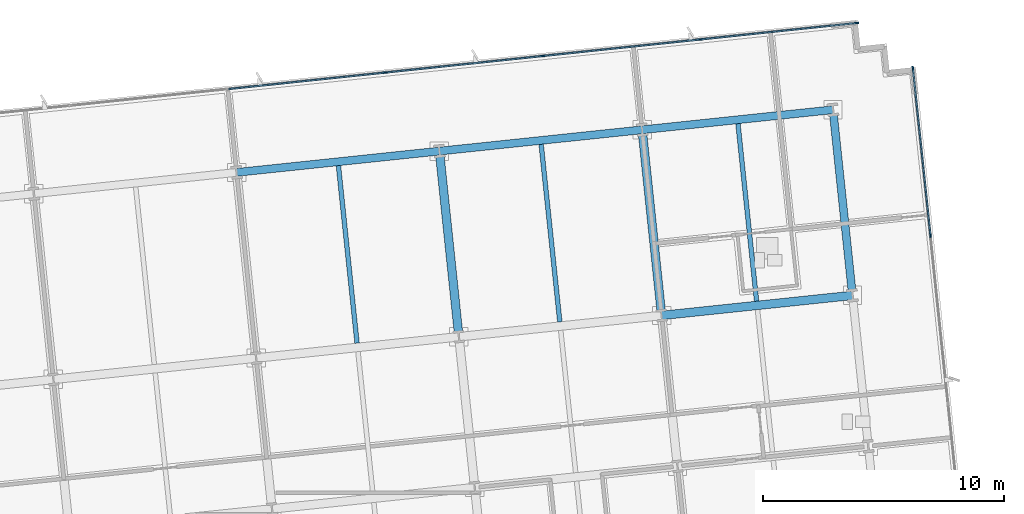
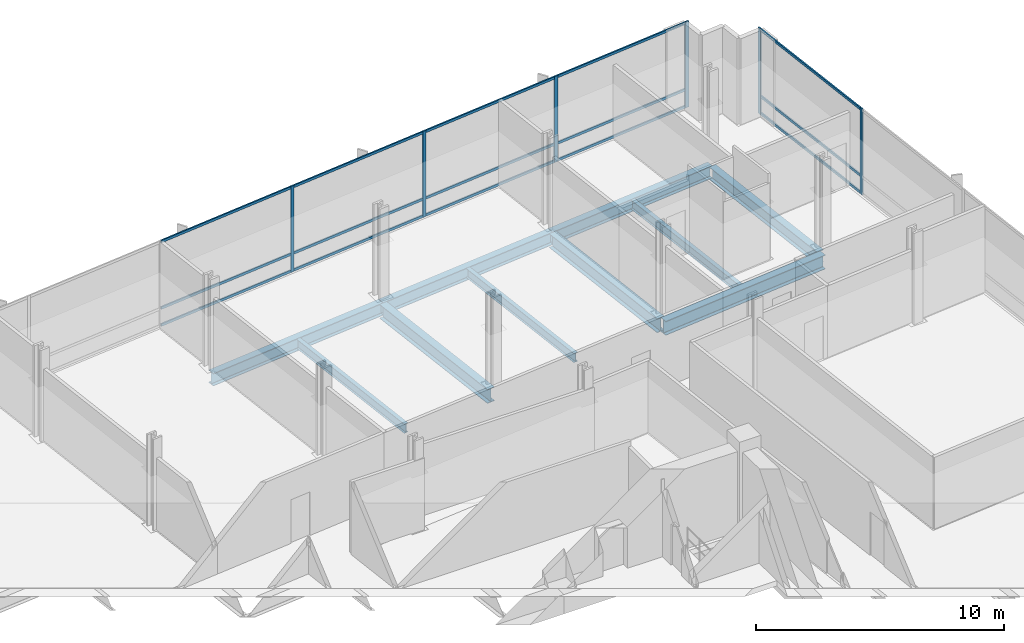
# One storey, part 10 of 20: 21 members, 10 beams, 2 elements without a shape of their own.
"""IFC4 building model written with IfcOpenShell, lengths in metres."""

from ifc_helpers import new_model, si_unit, direction, frame, origin, origin_2d, place, context, subcontext, project, spatial, rectangle, i_section, extrude, material, material_profile, profile_set, type_object, element, aggregate, save


model = new_model("IFC4")

# Units and contexts
model_context = context("Model", 3, precision=1e-05, world=origin(), true_north=direction((0.0, 1.0)))
body_context = subcontext(model_context, "Body", "Model", "MODEL_VIEW")
ifc_project = project(units=[si_unit("LENGTHUNIT", "METRE"), si_unit("AREAUNIT", "SQUARE_METRE"), si_unit("VOLUMEUNIT", "CUBIC_METRE"), si_unit("PLANEANGLEUNIT", "RADIAN"), si_unit("MASSUNIT", "GRAM", prefix="KILO")], contexts=[model_context])

# Site, building, storey
site_placement = place(None, origin())
site = spatial("IfcSite", under=ifc_project, at=site_placement, CompositionType="ELEMENT")
building_placement = place(site_placement, origin())
building = spatial("IfcBuilding", under=site, at=building_placement, Name="Solmavex Isthmus Hotel", CompositionType="ELEMENT")
storey_placement = place(building_placement, frame((0.0, 0.0, 97.35009765625)))
storey = spatial("IfcBuildingStorey", under=building, at=storey_placement, Name="L26", CompositionType="ELEMENT", Elevation=97.35009765625)

# Beams
ifc_material_1 = material(Name="Steel ASTM A992 Grade 50", Category="steel")
ifc_material_profile_1 = material_profile(ifc_material_1, i_section(OverallWidth=0.354736328125, OverallDepth=0.695556640625, WebThickness=0.015380859375, FlangeThickness=0.02490234375, FilletRadius=0.017822265625, at=origin_2d()), Name="W27X146")
ifc_profile_set_1 = profile_set([ifc_material_profile_1], Name="Steel ASTM A992 Grade 50")
beam_type_1 = type_object("IfcBeamType", Name="BM-BG-W27X146", PredefinedType="BEAM", material=ifc_profile_set_1)
beam_1_placement = place(storey_placement, frame((20.5615234375, 11.921875, -0.60791015625), z_axis=(0.994523402738, 0.104514120609, 0.0), x_axis=(-0.104514120609, 0.994523402738, 0.0)))
element("IfcBeam", 1, at=beam_1_placement, inside=storey, type_object=beam_type_1, Name="Floor Girder L26-UG18", PredefinedType="BEAM", context=body_context, shape_type="SweptSolid", body=[
    extrude(i_section(OverallWidth=0.354736328125, OverallDepth=0.695556640625, WebThickness=0.015380859375, FlangeThickness=0.02490234375, FilletRadius=0.017822265625, at=origin_2d()), origin(), (0.0, 0.0, 1.0), 7.968017578125),
])
for number, where, z_axis, x_axis, name in (
    (2, (12.123291015625, 11.21337890625, -0.60791015625), (-0.104525307271, 0.994522227072, 0.0), (-0.994522227072, -0.104525307271, 0.0), "Floor Beam L26-VG42"),
    (3, (20.54296875, 12.098388671875, -0.60791015625), (-0.1045578893, 0.994518802128, 0.0), (-0.994518802128, -0.1045578893, 0.0), "Floor Beam L26-VG45"),
):
    element("IfcBeam", number, at=place(storey_placement, frame(where, z_axis=z_axis, x_axis=x_axis)), inside=storey, type_object=beam_type_1, Name=name, PredefinedType="BEAM", context=body_context, shape_type="SweptSolid", body=[
        extrude(i_section(OverallWidth=0.354736328125, OverallDepth=0.695556640625, WebThickness=0.015380859375, FlangeThickness=0.02490234375, FilletRadius=0.017822265625, at=origin_2d()), origin(), (0.0, 0.0, 1.0), 7.4111328125),
    ])
ifc_material_profile_2 = material_profile(ifc_material_1, i_section(OverallWidth=0.1904296875, OverallDepth=0.456787109375, WebThickness=0.009033203125, FlangeThickness=0.014404296875, FilletRadius=0.0126953125, at=origin_2d()), Name="W18X50")
ifc_profile_set_2 = profile_set([ifc_material_profile_2], Name="Steel ASTM A992 Grade 50")
beam_type_2 = type_object("IfcBeamType", Name="BM-BJ-W18X50", PredefinedType="JOIST", material=ifc_profile_set_2)
beam_2_placement = place(storey_placement, frame((7.913330078125, 10.77099609375, -0.488525390625), z_axis=(-0.104525307271, 0.994522227072, 0.0), x_axis=(-0.994522227072, -0.104525307271, 0.0)))
element("IfcBeam", 4, at=beam_2_placement, inside=storey, type_object=beam_type_2, Name="Secondary Floor Joist L26-J15", PredefinedType="JOIST", context=body_context, shape_type="SweptSolid", body=[
    extrude(i_section(OverallWidth=0.1904296875, OverallDepth=0.456787109375, WebThickness=0.009033203125, FlangeThickness=0.014404296875, FilletRadius=0.0126953125, at=origin_2d()), origin(), (0.0, 0.0, 1.0), 7.4111328125),
])
for number, where, z_axis, x_axis, name in (
    (5, (16.3330078125, 11.65576171875, -0.488525390625), (-0.10452188296, 0.994522586964, 0.0), (-0.994522586964, -0.10452188296, 0.0), "Secondary Floor Joist L26-J18"),
    (6, (24.505126953125, 12.5146484375, -0.488525390625), (-0.10452188296, 0.994522586964, 0.0), (-0.994522586964, -0.10452188296, 0.0), "Secondary Floor Joist L26-J21"),
):
    element("IfcBeam", number, at=place(storey_placement, frame(where, z_axis=z_axis, x_axis=x_axis)), inside=storey, type_object=beam_type_2, Name=name, PredefinedType="JOIST", context=body_context, shape_type="SweptSolid", body=[
        extrude(i_section(OverallWidth=0.1904296875, OverallDepth=0.456787109375, WebThickness=0.009033203125, FlangeThickness=0.014404296875, FilletRadius=0.0126953125, at=origin_2d()), origin(), (0.0, 0.0, 1.0), 7.411376953125),
    ])
ifc_material_profile_3 = material_profile(ifc_material_1, i_section(OverallWidth=0.326416015625, OverallDepth=0.621826171875, WebThickness=0.015380859375, FlangeThickness=0.0244140625, FilletRadius=0.01513671875, at=origin_2d()), Name="W24X131")
ifc_profile_set_3 = profile_set([ifc_material_profile_3], Name="Steel ASTM A992 Grade 50")
beam_type_3 = type_object("IfcBeamType", Name="BM-SP-W24X131", PredefinedType="SPANDREL", material=ifc_profile_set_3)
for number, where, z_axis, x_axis, name in (
    (7, (2.911865234375, 17.861572265625, -0.571044921875), (0.994521085209, 0.104536171134, 0.0), (-0.104536171134, 0.994521085209, 0.0), "Floor Girder L26-UG22"),
    (8, (11.33154296875, 18.74658203125, -0.571044921875), (0.994524082861, 0.104507648572, 0.0), (-0.104507648572, 0.994524082861, 0.0), "Floor Girder L26-UG23"),
):
    element("IfcBeam", number, at=place(storey_placement, frame(where, z_axis=z_axis, x_axis=x_axis)), inside=storey, type_object=beam_type_3, Name=name, PredefinedType="SPANDREL", context=body_context, shape_type="SweptSolid", body=[
        extrude(i_section(OverallWidth=0.326416015625, OverallDepth=0.621826171875, WebThickness=0.015380859375, FlangeThickness=0.0244140625, FilletRadius=0.01513671875, at=origin_2d()), origin(), (0.0, 0.0, 1.0), 8.466064453125),
    ])
beam_3_placement = place(storey_placement, frame((19.751220703125, 19.63134765625, -0.571044921875), z_axis=(0.994520217478, 0.10454442609, 0.0), x_axis=(-0.10454442609, 0.994520217478, 0.0)))
element("IfcBeam", 9, at=beam_3_placement, inside=storey, type_object=beam_type_3, Name="Floor Girder L26-UG24", PredefinedType="SPANDREL", context=body_context, shape_type="SweptSolid", body=[
    extrude(i_section(OverallWidth=0.326416015625, OverallDepth=0.621826171875, WebThickness=0.015380859375, FlangeThickness=0.0244140625, FilletRadius=0.01513671875, at=origin_2d()), origin(), (0.0, 0.0, 1.0), 7.968017578125),
])
beam_4_placement = place(storey_placement, frame((28.46728515625, 12.93115234375, -0.571044921875), z_axis=(-0.10452188296, 0.994522586964, 0.0), x_axis=(-0.994522586964, -0.10452188296, 0.0)))
element("IfcBeam", 10, at=beam_4_placement, inside=storey, type_object=beam_type_3, Name="Floor Beam L26-VG48", PredefinedType="SPANDREL", context=body_context, shape_type="SweptSolid", body=[
    extrude(i_section(OverallWidth=0.326416015625, OverallDepth=0.621826171875, WebThickness=0.015380859375, FlangeThickness=0.0244140625, FilletRadius=0.01513671875, at=origin_2d()), origin(), (0.0, 0.0, 1.0), 7.411376953125),
])

# Curtain wall, members
ifc_material_2 = material(Name="Aluminium alloy 6063-T6", Category="aluminium")
curtain_wall_type = type_object("IfcCurtainWallType", Name="CW-SYS-05", PredefinedType="NOTDEFINED", material=ifc_material_2)
curtain_wall_1_placement = place(storey_placement, origin())
curtain_wall_1 = element("IfcCurtainWall", 11, at=curtain_wall_1_placement, inside=storey, type_object=curtain_wall_type, Name="Stick Curtain Wall CWL-L26-N1", PredefinedType="NOTDEFINED")
ifc_material_profile_4 = material_profile(ifc_material_2, rectangle(XDim=0.06494140625, YDim=0.159912109375, at=origin_2d()), Name="CWM-65X160")
ifc_profile_set_4 = profile_set([ifc_material_profile_4], Name="Aluminium alloy 6063-T6")
member_type_1 = type_object("IfcMemberType", Name="CW-SYS-05-MUL", PredefinedType="MULLION", material=ifc_profile_set_4)
member_1_placement = place(storey_placement, frame((9.087158203125, 22.009765625, 0.0), z_axis=(0.0, 0.0, 1.0), x_axis=(-0.104528331835, 0.994521909182, 0.0)))
member_1 = element("IfcMember", 12, at=member_1_placement, type_object=member_type_1, Name="CW-05 mullion 6", PredefinedType="MULLION", context=body_context, shape_type="SweptSolid", body=[
    extrude(rectangle(XDim=0.06494140625, YDim=0.159912109375, at=origin_2d()), origin(), (0.0, 0.0, 1.0), 4.239990234375),
])
member_2_placement = place(storey_placement, frame((15.6259765625, 22.697021484375, 0.0), z_axis=(0.0, 0.0, 1.0), x_axis=(-0.104528331835, 0.994521909182, 0.0)))
member_2 = element("IfcMember", 13, at=member_2_placement, type_object=member_type_1, Name="CW-05 mullion 7", PredefinedType="MULLION", context=body_context, shape_type="SweptSolid", body=[
    extrude(rectangle(XDim=0.06494140625, YDim=0.159912109375, at=origin_2d()), origin(), (0.0, 0.0, 1.0), 4.239990234375),
])
member_3_placement = place(storey_placement, frame((22.1650390625, 23.38427734375, 0.0), z_axis=(0.0, 0.0, 1.0), x_axis=(-0.104528331835, 0.994521909182, 0.0)))
member_3 = element("IfcMember", 14, at=member_3_placement, type_object=member_type_1, Name="CW-05 mullion 8", PredefinedType="MULLION", context=body_context, shape_type="SweptSolid", body=[
    extrude(rectangle(XDim=0.06494140625, YDim=0.159912109375, at=origin_2d()), origin(), (0.0, 0.0, 1.0), 4.239990234375),
])
member_4_placement = place(storey_placement, frame((28.671630859375, 24.068115234375, 0.0), z_axis=(0.0, 0.0, 1.0), x_axis=(-0.104528331835, 0.994521909182, 0.0)))
member_4 = element("IfcMember", 15, at=member_4_placement, type_object=member_type_1, Name="CW-05 mullion 9", PredefinedType="MULLION", context=body_context, shape_type="SweptSolid", body=[
    extrude(rectangle(XDim=0.06494140625, YDim=0.159912109375, at=origin_2d()), origin(), (0.0, 0.0, 1.0), 4.239990234375),
])

curtain_wall_2_placement = place(storey_placement, origin())
curtain_wall_2 = element("IfcCurtainWall", 16, at=curtain_wall_2_placement, inside=storey, type_object=curtain_wall_type, Name="Stick Curtain Wall CWL-L26-E1", PredefinedType="NOTDEFINED")
member_5_placement = place(storey_placement, frame((31.723876953125, 15.23876953125, 0.0), z_axis=(0.0, 0.0, 1.0), x_axis=(-0.994521893044, -0.104528485381, 0.0)))
member_5 = element("IfcMember", 17, at=member_5_placement, type_object=member_type_1, Name="CW-05 mullion 5", PredefinedType="MULLION", context=body_context, shape_type="SweptSolid", body=[
    extrude(rectangle(XDim=0.06494140625, YDim=0.159912109375, at=origin_2d()), origin(), (0.0, 0.0, 1.0), 4.239990234375),
])
member_6_placement = place(storey_placement, frame((30.993408203125, 22.18798828125, 0.0), z_axis=(0.0, 0.0, 1.0), x_axis=(-0.994521893044, -0.104528485381, 0.0)))
member_6 = element("IfcMember", 18, at=member_6_placement, type_object=member_type_1, Name="CW-05 mullion 6", PredefinedType="MULLION", context=body_context, shape_type="SweptSolid", body=[
    extrude(rectangle(XDim=0.06494140625, YDim=0.159912109375, at=origin_2d()), origin(), (0.0, 0.0, 1.0), 4.239990234375),
])

# Member
ifc_material_profile_5 = material_profile(ifc_material_2, rectangle(XDim=0.06494140625, YDim=0.125, at=origin_2d()), Name="CWT-65X125")
ifc_profile_set_5 = profile_set([ifc_material_profile_5], Name="Aluminium alloy 6063-T6")
member_type_2 = type_object("IfcMemberType", Name="CW-SYS-05-TRN", PredefinedType="USERDEFINED", material=ifc_profile_set_5)
member_7_placement = place(storey_placement, frame((2.580322265625, 21.325927734375, 0.0625), z_axis=(0.994522905893, 0.104518848325, 0.0), x_axis=(-0.104518848325, 0.994522905893, 0.0)))
member_7 = element("IfcMember", 19, at=member_7_placement, type_object=member_type_2, Name="CW-05 transom 5.1", ObjectType="TRANSOM", PredefinedType="USERDEFINED", context=body_context, shape_type="SweptSolid", body=[
    extrude(rectangle(XDim=0.06494140625, YDim=0.125, at=origin_2d()), origin(), (0.0, 0.0, 1.0), 6.510009765625),
])

member_8_placement = place(storey_placement, frame((2.580322265625, 21.325927734375, 0.89990234375), z_axis=(0.994522905893, 0.104518848325, 0.0), x_axis=(-0.104518848325, 0.994522905893, 0.0)))
member_8 = element("IfcMember", 20, at=member_8_placement, type_object=member_type_2, Name="CW-05 transom 5.2", ObjectType="TRANSOM", PredefinedType="USERDEFINED", context=body_context, shape_type="SweptSolid", body=[
    extrude(rectangle(XDim=0.06494140625, YDim=0.125, at=origin_2d()), origin(), (0.0, 0.0, 1.0), 6.510009765625),
])

member_9_placement = place(storey_placement, frame((2.580322265625, 21.325927734375, 4.177490234375), z_axis=(0.994522905893, 0.104518848325, 0.0), x_axis=(-0.104518848325, 0.994522905893, 0.0)))
member_9 = element("IfcMember", 21, at=member_9_placement, type_object=member_type_2, Name="CW-05 transom 5.3", ObjectType="TRANSOM", PredefinedType="USERDEFINED", context=body_context, shape_type="SweptSolid", body=[
    extrude(rectangle(XDim=0.06494140625, YDim=0.125, at=origin_2d()), origin(), (0.0, 0.0, 1.0), 6.510009765625),
])

member_10_placement = place(storey_placement, frame((9.119384765625, 22.01318359375, 0.0625), z_axis=(0.994522905893, 0.104518848325, 0.0), x_axis=(-0.104518848325, 0.994522905893, 0.0)))
member_10 = element("IfcMember", 22, at=member_10_placement, type_object=member_type_2, Name="CW-05 transom 6.1", ObjectType="TRANSOM", PredefinedType="USERDEFINED", context=body_context, shape_type="SweptSolid", body=[
    extrude(rectangle(XDim=0.06494140625, YDim=0.125, at=origin_2d()), origin(), (0.0, 0.0, 1.0), 6.510009765625),
])

member_11_placement = place(storey_placement, frame((9.119384765625, 22.01318359375, 0.89990234375), z_axis=(0.994522905893, 0.104518848325, 0.0), x_axis=(-0.104518848325, 0.994522905893, 0.0)))
member_11 = element("IfcMember", 23, at=member_11_placement, type_object=member_type_2, Name="CW-05 transom 6.2", ObjectType="TRANSOM", PredefinedType="USERDEFINED", context=body_context, shape_type="SweptSolid", body=[
    extrude(rectangle(XDim=0.06494140625, YDim=0.125, at=origin_2d()), origin(), (0.0, 0.0, 1.0), 6.510009765625),
])

member_12_placement = place(storey_placement, frame((9.119384765625, 22.01318359375, 4.177490234375), z_axis=(0.994522905893, 0.104518848325, 0.0), x_axis=(-0.104518848325, 0.994522905893, 0.0)))
member_12 = element("IfcMember", 24, at=member_12_placement, type_object=member_type_2, Name="CW-05 transom 6.3", ObjectType="TRANSOM", PredefinedType="USERDEFINED", context=body_context, shape_type="SweptSolid", body=[
    extrude(rectangle(XDim=0.06494140625, YDim=0.125, at=origin_2d()), origin(), (0.0, 0.0, 1.0), 6.510009765625),
])

member_13_placement = place(storey_placement, frame((15.658447265625, 22.700439453125, 0.0625), z_axis=(0.994522905893, 0.104518848325, 0.0), x_axis=(-0.104518848325, 0.994522905893, 0.0)))
member_13 = element("IfcMember", 25, at=member_13_placement, type_object=member_type_2, Name="CW-05 transom 7.1", ObjectType="TRANSOM", PredefinedType="USERDEFINED", context=body_context, shape_type="SweptSolid", body=[
    extrude(rectangle(XDim=0.06494140625, YDim=0.125, at=origin_2d()), origin(), (0.0, 0.0, 1.0), 6.510009765625),
])

member_14_placement = place(storey_placement, frame((15.658447265625, 22.700439453125, 0.89990234375), z_axis=(0.994522905893, 0.104518848325, 0.0), x_axis=(-0.104518848325, 0.994522905893, 0.0)))
member_14 = element("IfcMember", 26, at=member_14_placement, type_object=member_type_2, Name="CW-05 transom 7.2", ObjectType="TRANSOM", PredefinedType="USERDEFINED", context=body_context, shape_type="SweptSolid", body=[
    extrude(rectangle(XDim=0.06494140625, YDim=0.125, at=origin_2d()), origin(), (0.0, 0.0, 1.0), 6.510009765625),
])

member_15_placement = place(storey_placement, frame((15.658447265625, 22.700439453125, 4.177490234375), z_axis=(0.994522905893, 0.104518848325, 0.0), x_axis=(-0.104518848325, 0.994522905893, 0.0)))
member_15 = element("IfcMember", 27, at=member_15_placement, type_object=member_type_2, Name="CW-05 transom 7.3", ObjectType="TRANSOM", PredefinedType="USERDEFINED", context=body_context, shape_type="SweptSolid", body=[
    extrude(rectangle(XDim=0.06494140625, YDim=0.125, at=origin_2d()), origin(), (0.0, 0.0, 1.0), 6.510009765625),
])

member_16_placement = place(storey_placement, frame((22.197265625, 23.3876953125, 0.0625), z_axis=(0.994523405514, 0.104514094194, 0.0), x_axis=(-0.104514094194, 0.994523405514, 0.0)))
member_16 = element("IfcMember", 28, at=member_16_placement, type_object=member_type_2, Name="CW-05 transom 8.1", ObjectType="TRANSOM", PredefinedType="USERDEFINED", context=body_context, shape_type="SweptSolid", body=[
    extrude(rectangle(XDim=0.06494140625, YDim=0.125, at=origin_2d()), origin(), (0.0, 0.0, 1.0), 6.4775390625),
])

member_17_placement = place(storey_placement, frame((22.197265625, 23.3876953125, 0.89990234375), z_axis=(0.994523405514, 0.104514094194, 0.0), x_axis=(-0.104514094194, 0.994523405514, 0.0)))
member_17 = element("IfcMember", 29, at=member_17_placement, type_object=member_type_2, Name="CW-05 transom 8.2", ObjectType="TRANSOM", PredefinedType="USERDEFINED", context=body_context, shape_type="SweptSolid", body=[
    extrude(rectangle(XDim=0.06494140625, YDim=0.125, at=origin_2d()), origin(), (0.0, 0.0, 1.0), 6.4775390625),
])

member_18_placement = place(storey_placement, frame((22.197265625, 23.3876953125, 4.177490234375), z_axis=(0.994523405514, 0.104514094194, 0.0), x_axis=(-0.104514094194, 0.994523405514, 0.0)))
member_18 = element("IfcMember", 30, at=member_18_placement, type_object=member_type_2, Name="CW-05 transom 8.3", ObjectType="TRANSOM", PredefinedType="USERDEFINED", context=body_context, shape_type="SweptSolid", body=[
    extrude(rectangle(XDim=0.06494140625, YDim=0.125, at=origin_2d()), origin(), (0.0, 0.0, 1.0), 6.4775390625),
])

aggregate(curtain_wall_1, [member_1, member_2, member_3, member_4, member_7, member_8, member_9, member_10, member_11, member_12, member_13, member_14, member_15, member_16, member_17, member_18])

member_19_placement = place(storey_placement, frame((31.720458984375, 15.271240234375, 0.0625), z_axis=(-0.10453424226, 0.994521287955, 0.0), x_axis=(-0.994521287955, -0.10453424226, 0.0)))
member_19 = element("IfcMember", 31, at=member_19_placement, type_object=member_type_2, Name="CW-05 transom 5.1", ObjectType="TRANSOM", PredefinedType="USERDEFINED", context=body_context, shape_type="SweptSolid", body=[
    extrude(rectangle(XDim=0.06494140625, YDim=0.125, at=origin_2d()), origin(), (0.0, 0.0, 1.0), 6.92236328125),
])

member_20_placement = place(storey_placement, frame((31.720458984375, 15.271240234375, 0.89990234375), z_axis=(-0.10453424226, 0.994521287955, 0.0), x_axis=(-0.994521287955, -0.10453424226, 0.0)))
member_20 = element("IfcMember", 32, at=member_20_placement, type_object=member_type_2, Name="CW-05 transom 5.2", ObjectType="TRANSOM", PredefinedType="USERDEFINED", context=body_context, shape_type="SweptSolid", body=[
    extrude(rectangle(XDim=0.06494140625, YDim=0.125, at=origin_2d()), origin(), (0.0, 0.0, 1.0), 6.92236328125),
])

member_21_placement = place(storey_placement, frame((31.720458984375, 15.271240234375, 4.177490234375), z_axis=(-0.10453424226, 0.994521287955, 0.0), x_axis=(-0.994521287955, -0.10453424226, 0.0)))
member_21 = element("IfcMember", 33, at=member_21_placement, type_object=member_type_2, Name="CW-05 transom 5.3", ObjectType="TRANSOM", PredefinedType="USERDEFINED", context=body_context, shape_type="SweptSolid", body=[
    extrude(rectangle(XDim=0.06494140625, YDim=0.125, at=origin_2d()), origin(), (0.0, 0.0, 1.0), 6.92236328125),
])

aggregate(curtain_wall_2, [member_5, member_6, member_19, member_20, member_21])

save(model, "model.ifc")
